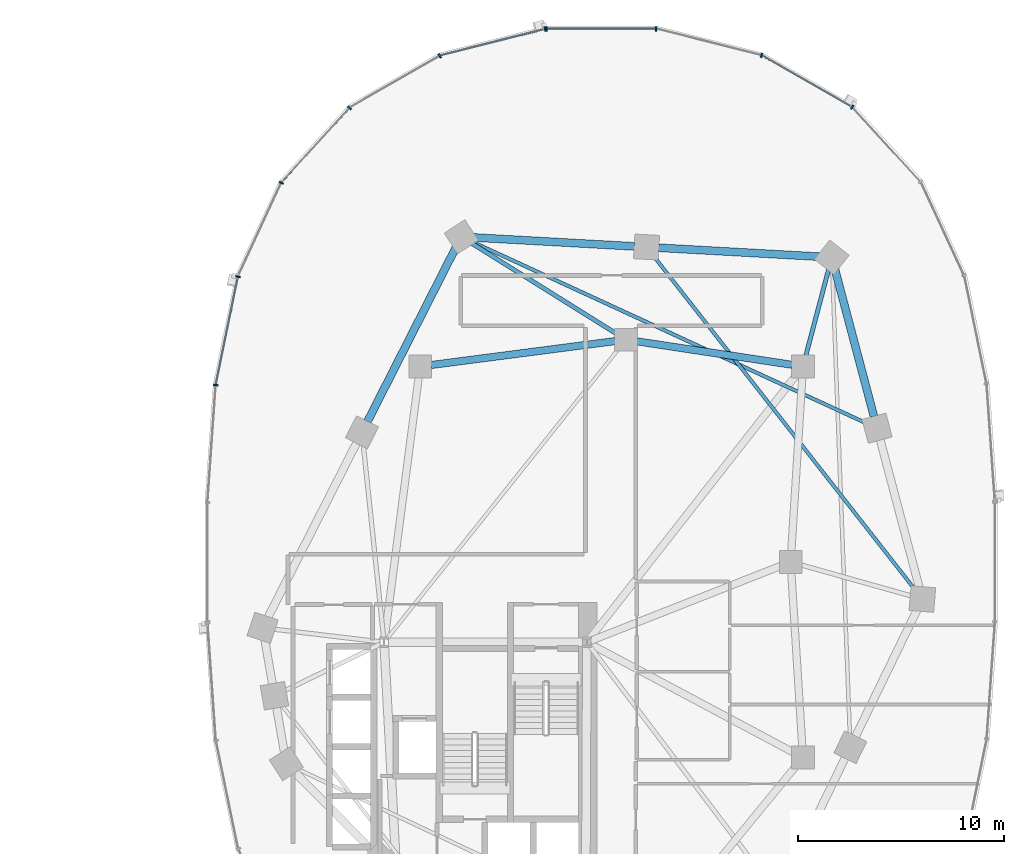
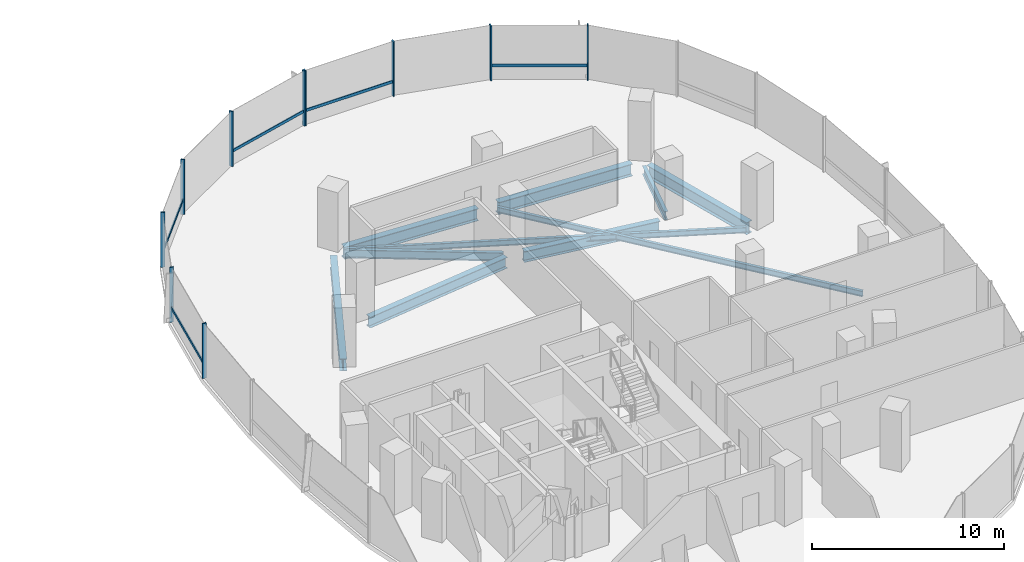
# One storey, part 7 of 21: 15 members, 10 beams, 2 elements without a shape of their own.
"""IFC4 building model written with IfcOpenShell, lengths in metres."""

import ifcopenshell
import ifcopenshell.guid

model = None  # the IFC model being written
_history = None  # IfcOwnerHistory: only IFC2X3 demands one
_inside = {}  # id of a spatial element -> (the spatial element, [elements in it])
_under = {}  # id of a project, library or spatial element -> (it, [spatial elements below it])
_declared = {}  # id of a project -> (the project, [libraries it declares])
_typed = {}  # id of a type object -> (the type object, [elements of that type])
_made_of = {}  # id of a material, layer set ... -> (it, [elements and type objects made of it])


def new_model(schema):
    """Start an empty IFC model of exactly this schema.

    Asked for "IFC4X3", IfcOpenShell would pick the latest addendum, in which some entities
    have other attributes; the version numbers below select the first issue.
    IFC2X3 requires an IfcOwnerHistory on every rooted entity: one is made here for all.
    """
    global model, _history
    if schema == "IFC4X3":
        model = ifcopenshell.file(schema_version=(4, 3, 0, 0))
    else:
        model = ifcopenshell.file(schema=schema)
    _inside.clear()
    _under.clear()
    _declared.clear()
    _typed.clear()
    _made_of.clear()
    _history = None
    if model.schema == "IFC2X3":
        org = make("IfcOrganization", Name="unknown")
        user = make(
            "IfcPersonAndOrganization",
            ThePerson=make("IfcPerson", FamilyName="unknown"),
            TheOrganization=org,
        )
        app = make(
            "IfcApplication",
            ApplicationDeveloper=org,
            Version="unknown",
            ApplicationFullName="unknown",
            ApplicationIdentifier="unknown",
        )
        _history = make(
            "IfcOwnerHistory",
            OwningUser=user,
            OwningApplication=app,
            ChangeAction="ADDED",
            CreationDate=0,
        )
    return model


def make(cls, **values):
    """One entity of the class cls with the attributes given. An attribute that is None is left unset."""
    return model.create_entity(
        cls, **{name: value for name, value in values.items() if value is not None}
    )


def rooted(cls, **values):
    """An entity with a GlobalId (a new one), such as an element, a storey or a relation."""
    return make(cls, GlobalId=ifcopenshell.guid.new(), OwnerHistory=_history, **values)


def si_unit(unit_type, name, prefix=None):
    """IfcSIUnit, for example si_unit("LENGTHUNIT", "METRE", prefix="MILLI")."""
    return make("IfcSIUnit", UnitType=unit_type, Prefix=prefix, Name=name)


def assignment(units):
    """IfcUnitAssignment: the units of a project."""
    return None if units is None else make("IfcUnitAssignment", Units=units)


def point(xyz):
    """IfcCartesianPoint."""
    return None if xyz is None else make("IfcCartesianPoint", Coordinates=xyz)


def direction(xyz):
    """IfcDirection."""
    return None if xyz is None else make("IfcDirection", DirectionRatios=xyz)


def frame(location, z_axis=None, x_axis=None):
    """IfcAxis2Placement3D, a coordinate frame: its origin and axes. An axis left out is left unset."""
    return make(
        "IfcAxis2Placement3D",
        Location=point(location),
        Axis=direction(z_axis),
        RefDirection=direction(x_axis),
    )


def frame_2d(location, x_axis=None):
    """IfcAxis2Placement2D, a coordinate frame in the plane: its origin and x axis."""
    return make(
        "IfcAxis2Placement2D", Location=point(location), RefDirection=direction(x_axis)
    )


def origin():
    """The frame at (0, 0, 0) with its axes left unset."""
    return frame((0.0, 0.0, 0.0))


def origin_2d():
    """The frame at (0, 0) in the plane with its x axis left unset."""
    return frame_2d((0.0, 0.0))


def place(relative_to, where):
    """IfcLocalPlacement: puts the frame where relative to a parent placement (None: the world)."""
    return make(
        "IfcLocalPlacement", PlacementRelTo=relative_to, RelativePlacement=where
    )


def context(
    kind, dimensions, precision=None, world=None, true_north=None, identifier=None
):
    """IfcGeometricRepresentationContext, for example the 3D "Model" context."""
    return make(
        "IfcGeometricRepresentationContext",
        ContextIdentifier=identifier,
        ContextType=kind,
        CoordinateSpaceDimension=dimensions,
        Precision=precision,
        WorldCoordinateSystem=world,
        TrueNorth=true_north,
    )


def subcontext(parent, identifier, kind, view, scale=None):
    """IfcGeometricRepresentationSubContext, for example "Body" below "Model"."""
    return make(
        "IfcGeometricRepresentationSubContext",
        ContextIdentifier=identifier,
        ContextType=kind,
        ParentContext=parent,
        TargetScale=scale,
        TargetView=view,
    )


def project(units=None, contexts=None):
    """IfcProject with its units and contexts."""
    return rooted(
        "IfcProject",
        Name="project",
        RepresentationContexts=contexts,
        UnitsInContext=assignment(units),
    )


def spatial(cls, under=None, at=None, **own):
    """A site, building, storey or space (cls), placed at a placement, below another one or the project."""
    s = rooted(cls, ObjectPlacement=at, **own)
    if under is not None:
        _under.setdefault(under.id(), (under, []))[1].append(s)
    return s


def profile(cls, at=None, kind="AREA", **sizes):
    """A parametric profile (cls). Its sizes go by their IFC names, for example OverallWidth=200.0."""
    return make(cls, ProfileType=kind, Position=at, **sizes)


def rectangle(**sizes):
    """IfcRectangleProfileDef."""
    return profile("IfcRectangleProfileDef", **sizes)


def i_section(**sizes):
    """IfcIShapeProfileDef."""
    return profile("IfcIShapeProfileDef", **sizes)


def extrude(swept, where, along, depth):
    """IfcExtrudedAreaSolid: the profile swept, set in the frame where, extruded along a direction by depth."""
    return make(
        "IfcExtrudedAreaSolid",
        SweptArea=swept,
        Position=where,
        ExtrudedDirection=direction(along),
        Depth=depth,
    )


def shape(context_of_items, identifier, shape_type, items):
    """IfcShapeRepresentation: the items that make up one representation, for example the "Body"."""
    return make(
        "IfcShapeRepresentation",
        ContextOfItems=context_of_items,
        RepresentationIdentifier=identifier,
        RepresentationType=shape_type,
        Items=items,
    )


def material(Name=None, Category=None):
    """IfcMaterial."""
    return make("IfcMaterial", Name=Name, Category=Category)


def material_profile(
    of_material, cross_section, Name=None, Category=None, Priority=None
):
    """IfcMaterialProfile: a cross section and its material."""
    return make(
        "IfcMaterialProfile",
        Name=Name,
        Material=of_material,
        Profile=cross_section,
        Priority=Priority,
        Category=Category,
    )


def profile_set(profiles, Name=None, composite=None):
    """IfcMaterialProfileSet."""
    return make(
        "IfcMaterialProfileSet",
        Name=Name,
        MaterialProfiles=profiles,
        CompositeProfile=composite,
    )


def made_of(thing, what):
    """Note that an element or type object is made of a material, layer set ...; save() writes the relation."""
    if what is not None:
        _made_of.setdefault(what.id(), (what, []))[1].append(thing)
    return thing


def type_object(cls, material=None, **own):
    """A type object (cls), such as IfcWallType, which elements share."""
    return made_of(rooted(cls, **own), material)


def element(
    cls,
    number,
    at=None,
    inside=None,
    cuts=None,
    type_object=None,
    material=None,
    context=None,
    identifier="Body",
    shape_type=None,
    held_by="IfcProductDefinitionShape",
    body=None,
    shapes=None,
    **own,
):
    """One element of the class cls, such as IfcWall. Its Tag is "e" and its number.

    at: its placement. inside: the storey or other place that contains it. cuts: it is an
    opening in that element (IfcRelVoidsElement). A single representation is given by context,
    identifier, shape_type and body (its items); several are given by shapes. held_by: the class
    of the entity that holds the representations. save() writes the other relations.
    """
    e = rooted(cls, Tag="e%d" % number, ObjectPlacement=at, **own)
    if body is not None:
        shapes = [shape(context, identifier, shape_type, body)]
    if shapes is not None:
        e.Representation = make(held_by, Representations=shapes)
    if inside is not None:
        _inside.setdefault(inside.id(), (inside, []))[1].append(e)
    if cuts is not None:
        rooted(
            "IfcRelVoidsElement", RelatingBuildingElement=cuts, RelatedOpeningElement=e
        )
    if type_object is not None:
        _typed.setdefault(type_object.id(), (type_object, []))[1].append(e)
    return made_of(e, material)


def aggregate(whole, parts):
    """IfcRelAggregates: a whole, such as a stair, and the parts it consists of."""
    return rooted("IfcRelAggregates", RelatingObject=whole, RelatedObjects=parts)


def save(model, path):
    """Write the relations noted so far, then the file.

    IfcRelAggregates (storeys below a building ...), IfcRelContainedInSpatialStructure (elements
    in a storey), IfcRelDefinesByType, IfcRelAssociatesMaterial and IfcRelDeclares: one each for
    every whole, place, type object, material and project.
    """
    for whole, parts in _under.values():
        aggregate(whole, parts)
    for where, things in _inside.values():
        rooted(
            "IfcRelContainedInSpatialStructure",
            RelatedElements=things,
            RelatingStructure=where,
        )
    for kind, things in _typed.values():
        rooted("IfcRelDefinesByType", RelatedObjects=things, RelatingType=kind)
    for what, things in _made_of.values():
        rooted("IfcRelAssociatesMaterial", RelatedObjects=things, RelatingMaterial=what)
    for by, libraries in _declared.values():
        rooted("IfcRelDeclares", RelatingContext=by, RelatedDefinitions=libraries)
    model.write(path)


model = new_model("IFC4")

# Units and contexts
model_context = context("Model", 3, precision=1e-05, world=origin(), true_north=direction((0.0, 1.0)))
body_context = subcontext(model_context, "Body", "Model", "MODEL_VIEW")
ifc_project = project(units=[si_unit("LENGTHUNIT", "METRE"), si_unit("AREAUNIT", "SQUARE_METRE"), si_unit("VOLUMEUNIT", "CUBIC_METRE"), si_unit("PLANEANGLEUNIT", "RADIAN"), si_unit("MASSUNIT", "GRAM", prefix="KILO"), si_unit("THERMODYNAMICTEMPERATUREUNIT", "KELVIN"), si_unit("POWERUNIT", "WATT")], contexts=[model_context])

# Site, building, storey
site_placement = place(None, origin())
site = spatial("IfcSite", under=ifc_project, at=site_placement, CompositionType="ELEMENT")
building_placement = place(site_placement, origin())
building = spatial("IfcBuilding", under=site, at=building_placement, Name="Cundina Bronze Exchange", CompositionType="ELEMENT")
storey_placement = place(building_placement, frame((0.0, 0.0, 31.60009765625)))
storey = spatial("IfcBuildingStorey", under=building, at=storey_placement, Name="L07", CompositionType="ELEMENT", Elevation=31.60009765625)

# Beams
ifc_material_1 = material(Name="Steel ASTM A992 Grade 50", Category="steel")
ifc_material_profile_1 = material_profile(ifc_material_1, i_section(OverallWidth=0.2099609375, OverallDepth=0.532958984375, WebThickness=0.01025390625, FlangeThickness=0.015625, FilletRadius=0.013916015625, at=origin_2d()), Name="W21X62", Category="steel")
ifc_profile_set_1 = profile_set([ifc_material_profile_1], Name="Steel ASTM A992 Grade 50")
beam_type_1 = type_object("IfcBeamType", Name="BM-FLR-W21B", PredefinedType="BEAM", material=ifc_profile_set_1)
beam_1_placement = place(storey_placement, frame((41.9375, 10.020263671875, -0.566650390625), z_axis=(0.255373327887, 0.966842522546, 0.0), x_axis=(-0.966842522546, 0.255373327887, 0.0)))
element("IfcBeam", 1, at=beam_1_placement, inside=storey, type_object=beam_type_1, Name="L07 Leg E Chordal Floor Beam 10", PredefinedType="BEAM", context=body_context, shape_type="SweptSolid", body=[
    extrude(i_section(OverallWidth=0.2099609375, OverallDepth=0.532958984375, WebThickness=0.01025390625, FlangeThickness=0.015625, FilletRadius=0.013916015625, at=origin_2d()), origin(), (0.0, 0.0, 1.0), 4.355712890625),
])
beam_2_placement = place(storey_placement, frame((32.743896484375, 11.085205078125, -0.566650390625), z_axis=(-0.848014812458, 0.529972525563, 0.0), x_axis=(-0.529972525563, -0.848014812458, 0.0)))
element("IfcBeam", 2, at=beam_2_placement, inside=storey, type_object=beam_type_1, Name="L07 Leg E Chordal Floor Beam 12", PredefinedType="BEAM", context=body_context, shape_type="SweptSolid", body=[
    extrude(i_section(OverallWidth=0.2099609375, OverallDepth=0.532958984375, WebThickness=0.01025390625, FlangeThickness=0.015625, FilletRadius=0.013916015625, at=origin_2d()), origin(), (0.0, 0.0, 1.0), 8.30810546875),
])
ifc_material_profile_2 = material_profile(ifc_material_1, i_section(OverallWidth=0.172119140625, OverallDepth=0.35791015625, WebThickness=0.0078125, FlangeThickness=0.01318359375, FilletRadius=0.010009765625, at=origin_2d()), Name="W14X38", Category="steel")
ifc_profile_set_2 = profile_set([ifc_material_profile_2], Name="Steel ASTM A992 Grade 50")
beam_type_2 = type_object("IfcBeamType", Name="BM-JST-W14", PredefinedType="JOIST", material=ifc_profile_set_2)
beam_3_placement = place(storey_placement, frame((47.2373046875, -1.337158203125, -0.47900390625), z_axis=(-0.616803089524, 0.787117493614, 0.0), x_axis=(-0.787117493614, -0.616803089524, 0.0)))
element("IfcBeam", 3, at=beam_3_placement, inside=storey, type_object=beam_type_2, Name="L07 Leg E Lobe Floor Joist 08-11", PredefinedType="JOIST", context=body_context, shape_type="SweptSolid", body=[
    extrude(i_section(OverallWidth=0.172119140625, OverallDepth=0.35791015625, WebThickness=0.0078125, FlangeThickness=0.01318359375, FilletRadius=0.010009765625, at=origin_2d()), origin(), (0.0, 0.0, 1.0), 20.548828125),
])
beam_4_placement = place(storey_placement, frame((44.865966796875, 6.745849609375, -0.47900390625), z_axis=(-0.908351511887, 0.418207521277, 0.0), x_axis=(-0.418207521277, -0.908351511887, 0.0)))
element("IfcBeam", 4, at=beam_4_placement, inside=storey, type_object=beam_type_2, Name="L07 Leg E Lobe Floor Joist 09-12", PredefinedType="JOIST", context=body_context, shape_type="SweptSolid", body=[
    extrude(i_section(OverallWidth=0.172119140625, OverallDepth=0.35791015625, WebThickness=0.0078125, FlangeThickness=0.01318359375, FilletRadius=0.010009765625, at=origin_2d()), origin(), (0.0, 0.0, 1.0), 21.062255859375),
])
ifc_material_profile_3 = material_profile(ifc_material_1, i_section(OverallWidth=0.35498046875, OverallDepth=0.695068359375, WebThickness=0.015380859375, FlangeThickness=0.02490234375, FilletRadius=0.01806640625, at=origin_2d()), Name="W27X146", Category="steel")
ifc_profile_set_3 = profile_set([ifc_material_profile_3], Name="Steel ASTM A992 Grade 50")
beam_type_3 = type_object("IfcBeamType", Name="BM-RING-W27", PredefinedType="USERDEFINED", material=ifc_profile_set_3)
beam_5_placement = place(storey_placement, frame((41.26806640625, 9.580322265625, -0.647705078125), z_axis=(-0.988767489563, 0.149461873341, 0.0), x_axis=(-0.149461873341, -0.988767489563, 0.0)))
element("IfcBeam", 5, at=beam_5_placement, inside=storey, type_object=beam_type_3, Name="L07 E Inner Structural Ring Girder 05", ObjectType="GIRDER", PredefinedType="USERDEFINED", context=body_context, shape_type="SweptSolid", body=[
    extrude(i_section(OverallWidth=0.35498046875, OverallDepth=0.695068359375, WebThickness=0.015380859375, FlangeThickness=0.02490234375, FilletRadius=0.01806640625, at=origin_2d()), origin(), (0.0, 0.0, 1.0), 7.621826171875),
])
beam_6_placement = place(storey_placement, frame((32.66650390625, 10.730712890625, -0.647705078125), z_axis=(-0.991654577907, -0.128923225666, 0.0), x_axis=(0.128923225666, -0.991654577907, 0.0)))
element("IfcBeam", 6, at=beam_6_placement, inside=storey, type_object=beam_type_3, Name="L07 E Inner Structural Ring Girder 06", ObjectType="GIRDER", PredefinedType="USERDEFINED", context=body_context, shape_type="SweptSolid", body=[
    extrude(i_section(OverallWidth=0.35498046875, OverallDepth=0.695068359375, WebThickness=0.015380859375, FlangeThickness=0.02490234375, FilletRadius=0.01806640625, at=origin_2d()), origin(), (0.0, 0.0, 1.0), 9.00830078125),
])
ifc_material_profile_4 = material_profile(ifc_material_1, i_section(OverallWidth=0.381103515625, OverallDepth=0.77294921875, WebThickness=0.0166015625, FlangeThickness=0.027099609375, FilletRadius=0.01904296875, at=origin_2d()), Name="W30X173", Category="steel")
ifc_profile_set_4 = profile_set([ifc_material_profile_4], Name="Steel ASTM A992 Grade 50")
beam_type_4 = type_object("IfcBeamType", Name="BM-RING-W30", PredefinedType="USERDEFINED", material=ifc_profile_set_4)
beam_7_placement = place(storey_placement, frame((45.249267578125, 7.068359375, -0.6865234375), z_axis=(-0.256208567826, 0.966621523541, 0.0), x_axis=(-0.966621523541, -0.256208567826, 0.0)))
element("IfcBeam", 7, at=beam_7_placement, inside=storey, type_object=beam_type_4, Name="L07 E Perimeter Ring Girder 09", ObjectType="GIRDER", PredefinedType="USERDEFINED", context=body_context, shape_type="SweptSolid", body=[
    extrude(i_section(OverallWidth=0.381103515625, OverallDepth=0.77294921875, WebThickness=0.0166015625, FlangeThickness=0.027099609375, FilletRadius=0.01904296875, at=origin_2d()), origin(), (0.0, 0.0, 1.0), 7.41064453125),
])
for number, where, z_axis, x_axis, name in (
    (8, (42.61279296875, 14.83251953125, -0.6865234375), (-0.998459969805, 0.055476920391, 0.0), (-0.055476920391, -0.998459969805, 0.0), "L07 E Perimeter Ring Girder 10"),
    (9, (33.61279296875, 15.33251953125, -0.6865234375), (-0.998459969805, 0.055476920391, 0.0), (-0.055476920391, -0.998459969805, 0.0), "L07 E Perimeter Ring Girder 11"),
):
    element("IfcBeam", number, at=place(storey_placement, frame(where, z_axis=z_axis, x_axis=x_axis)), inside=storey, type_object=beam_type_4, Name=name, ObjectType="GIRDER", PredefinedType="USERDEFINED", context=body_context, shape_type="SweptSolid", body=[
        extrude(i_section(OverallWidth=0.381103515625, OverallDepth=0.77294921875, WebThickness=0.0166015625, FlangeThickness=0.027099609375, FilletRadius=0.01904296875, at=origin_2d()), origin(), (0.0, 0.0, 1.0), 7.837646484375),
    ])
beam_8_placement = place(storey_placement, frame((24.93359375, 15.275634765625, -0.6865234375), z_axis=(-0.452819633606, -0.891602141889, 0.0), x_axis=(0.891602141889, -0.452819633606, 0.0)))
element("IfcBeam", 10, at=beam_8_placement, inside=storey, type_object=beam_type_4, Name="L07 E Perimeter Ring Girder 12", ObjectType="GIRDER", PredefinedType="USERDEFINED", context=body_context, shape_type="SweptSolid", body=[
    extrude(i_section(OverallWidth=0.381103515625, OverallDepth=0.77294921875, WebThickness=0.0166015625, FlangeThickness=0.027099609375, FilletRadius=0.01904296875, at=origin_2d()), origin(), (0.0, 0.0, 1.0), 9.47900390625),
])

# Curtain wall, members
ifc_material_2 = material(Name="Anodised Bronze Aluminium 6063-T6", Category="aluminium")
curtain_wall_type = type_object("IfcCurtainWallType", Name="CWS-TRD-LOW", PredefinedType="NOTDEFINED", material=ifc_material_2)
curtain_wall_1_placement = place(storey_placement, origin())
curtain_wall_1 = element("IfcCurtainWall", 11, at=curtain_wall_1_placement, inside=storey, type_object=curtain_wall_type, Name="L07 CW-02 Curtain Wall Run CWR-L07-E1", PredefinedType="NOTDEFINED")
ifc_material_profile_5 = material_profile(ifc_material_2, rectangle(XDim=0.074951171875, YDim=0.219970703125, at=origin_2d()), Name="AL75X220", Category="aluminium")
ifc_profile_set_5 = profile_set([ifc_material_profile_5], Name="Anodised Bronze Aluminium 6063-T6")
member_type_1 = type_object("IfcMemberType", Name="CWM-MUL-220", PredefinedType="MULLION", material=ifc_profile_set_5)
member_1_placement = place(storey_placement, frame((44.189697265625, 22.097412109375, 0.0), z_axis=(0.0, 0.0, 1.0), x_axis=(-0.867070701164, 0.498185105339, 0.0)))
member_1 = element("IfcMember", 12, at=member_1_placement, type_object=member_type_1, Name="CW-02 Mullion 5", PredefinedType="MULLION", context=body_context, shape_type="SweptSolid", body=[
    extrude(rectangle(XDim=0.074951171875, YDim=0.219970703125, at=origin_2d()), origin(), (0.0, 0.0, 1.0), 3.5),
])
member_2_placement = place(storey_placement, frame((39.78515625, 24.61669921875, 0.0), z_axis=(0.0, 0.0, 1.0), x_axis=(-0.969488149345, 0.245138182011, 0.0)))
member_2 = element("IfcMember", 13, at=member_2_placement, type_object=member_type_1, Name="CW-02 Mullion 6", PredefinedType="MULLION", context=body_context, shape_type="SweptSolid", body=[
    extrude(rectangle(XDim=0.074951171875, YDim=0.219970703125, at=origin_2d()), origin(), (0.0, 0.0, 1.0), 3.5),
])
member_3_placement = place(storey_placement, frame((34.654541015625, 25.905029296875, 0.0), z_axis=(0.0, 0.0, 1.0), x_axis=(-1.0, 0.0, 0.0)))
member_3 = element("IfcMember", 14, at=member_3_placement, type_object=member_type_1, Name="CW-02 Mullion 7", PredefinedType="MULLION", context=body_context, shape_type="SweptSolid", body=[
    extrude(rectangle(XDim=0.074951171875, YDim=0.219970703125, at=origin_2d()), origin(), (0.0, 0.0, 1.0), 3.5),
])
member_4_placement = place(storey_placement, frame((29.345458984375, 25.905029296875, 0.0), z_axis=(0.0, 0.0, 1.0), x_axis=(-1.0, 0.0, 0.0)))
member_4 = element("IfcMember", 15, at=member_4_placement, type_object=member_type_1, Name="CW-02 End Mullion", PredefinedType="MULLION", context=body_context, shape_type="SweptSolid", body=[
    extrude(rectangle(XDim=0.074951171875, YDim=0.219970703125, at=origin_2d()), origin(), (0.0, 0.0, 1.0), 3.5),
])

curtain_wall_2_placement = place(storey_placement, origin())
curtain_wall_2 = element("IfcCurtainWall", 16, at=curtain_wall_2_placement, inside=storey, type_object=curtain_wall_type, Name="L07 CW-02 Curtain Wall Run CWR-L07-E2", PredefinedType="NOTDEFINED")
member_5_placement = place(storey_placement, frame((29.27392578125, 25.89599609375, 0.0), z_axis=(0.0, 0.0, 1.0), x_axis=(-0.969488149345, -0.245138182011, 0.0)))
member_5 = element("IfcMember", 17, at=member_5_placement, type_object=member_type_1, Name="CW-02 Mullion 1", PredefinedType="MULLION", context=body_context, shape_type="SweptSolid", body=[
    extrude(rectangle(XDim=0.074951171875, YDim=0.219970703125, at=origin_2d()), origin(), (0.0, 0.0, 1.0), 3.5),
])
member_6_placement = place(storey_placement, frame((24.151123046875, 24.591064453125, 0.0), z_axis=(0.0, 0.0, 1.0), x_axis=(-0.867070701164, -0.498185105339, 0.0)))
member_6 = element("IfcMember", 18, at=member_6_placement, type_object=member_type_1, Name="CW-02 Mullion 2", PredefinedType="MULLION", context=body_context, shape_type="SweptSolid", body=[
    extrude(rectangle(XDim=0.074951171875, YDim=0.219970703125, at=origin_2d()), origin(), (0.0, 0.0, 1.0), 3.5),
])
member_7_placement = place(storey_placement, frame((19.760498046875, 22.0576171875, 0.0), z_axis=(0.0, 0.0, 1.0), x_axis=(-0.674302387584, -0.738455340626, 0.0)))
member_7 = element("IfcMember", 19, at=member_7_placement, type_object=member_type_1, Name="CW-02 Mullion 3", PredefinedType="MULLION", context=body_context, shape_type="SweptSolid", body=[
    extrude(rectangle(XDim=0.074951171875, YDim=0.219970703125, at=origin_2d()), origin(), (0.0, 0.0, 1.0), 3.5),
])
member_8_placement = place(storey_placement, frame((16.455810546875, 18.423583984375, 0.0), z_axis=(0.0, 0.0, 1.0), x_axis=(-0.42087749791, -0.907117485088, 0.0)))
member_8 = element("IfcMember", 20, at=member_8_placement, type_object=member_type_1, Name="CW-02 Mullion 4", PredefinedType="MULLION", context=body_context, shape_type="SweptSolid", body=[
    extrude(rectangle(XDim=0.074951171875, YDim=0.219970703125, at=origin_2d()), origin(), (0.0, 0.0, 1.0), 3.5),
])
member_9_placement = place(storey_placement, frame((14.348876953125, 13.861328125, 0.0), z_axis=(0.0, 0.0, 1.0), x_axis=(-0.201419845156, -0.979505000486, 0.0)))
member_9 = element("IfcMember", 21, at=member_9_placement, type_object=member_type_1, Name="CW-02 Mullion 5", PredefinedType="MULLION", context=body_context, shape_type="SweptSolid", body=[
    extrude(rectangle(XDim=0.074951171875, YDim=0.219970703125, at=origin_2d()), origin(), (0.0, 0.0, 1.0), 3.5),
])
member_10_placement = place(storey_placement, frame((13.27099609375, 8.591552734375, 0.0), z_axis=(0.0, 0.0, 1.0), x_axis=(-0.070278787473, -0.997527389113, 0.0)))
member_10 = element("IfcMember", 22, at=member_10_placement, type_object=member_type_1, Name="CW-02 Mullion 6", PredefinedType="MULLION", context=body_context, shape_type="SweptSolid", body=[
    extrude(rectangle(XDim=0.074951171875, YDim=0.219970703125, at=origin_2d()), origin(), (0.0, 0.0, 1.0), 3.5),
])

# Member
ifc_material_profile_6 = material_profile(ifc_material_2, rectangle(XDim=0.070068359375, YDim=0.179931640625, at=origin_2d()), Name="AL70X180", Category="aluminium")
ifc_profile_set_6 = profile_set([ifc_material_profile_6], Name="Anodised Bronze Aluminium 6063-T6")
member_type_2 = type_object("IfcMemberType", Name="CWM-TRN-180", PredefinedType="USERDEFINED", material=ifc_profile_set_6)
member_11_placement = place(storey_placement, frame((44.154052734375, 22.117919921875, 0.919921875), z_axis=(-0.867097475651, 0.498138502546, 0.0), x_axis=(-0.498138502546, -0.867097475651, 0.0)))
member_11 = element("IfcMember", 23, at=member_11_placement, type_object=member_type_2, Name="CW-02 Spandrel Transom 5", ObjectType="TRANSOM", PredefinedType="USERDEFINED", context=body_context, shape_type="SweptSolid", body=[
    extrude(rectangle(XDim=0.070068359375, YDim=0.179931640625, at=origin_2d()), origin(), (0.0, 0.0, 1.0), 5.00634765625),
])

member_12_placement = place(storey_placement, frame((34.61328125, 25.905029296875, 0.919921875), z_axis=(-1.0, 0.0, 0.0), x_axis=(0.0, -1.0, 0.0)))
member_12 = element("IfcMember", 24, at=member_12_placement, type_object=member_type_2, Name="CW-02 Spandrel Transom 7", ObjectType="TRANSOM", PredefinedType="USERDEFINED", context=body_context, shape_type="SweptSolid", body=[
    extrude(rectangle(XDim=0.070068359375, YDim=0.179931640625, at=origin_2d()), origin(), (0.0, 0.0, 1.0), 5.2265625),
])

aggregate(curtain_wall_1, [member_1, member_11, member_2, member_3, member_4, member_12])

member_13_placement = place(storey_placement, frame((29.23388671875, 25.885986328125, 0.919921875), z_axis=(-0.969483968866, -0.245154714644, 0.0), x_axis=(0.245154714644, -0.969483968866, 0.0)))
member_13 = element("IfcMember", 25, at=member_13_placement, type_object=member_type_2, Name="CW-02 Spandrel Transom 1", ObjectType="TRANSOM", PredefinedType="USERDEFINED", context=body_context, shape_type="SweptSolid", body=[
    extrude(rectangle(XDim=0.070068359375, YDim=0.179931640625, at=origin_2d()), origin(), (0.0, 0.0, 1.0), 5.21826171875),
])

member_14_placement = place(storey_placement, frame((19.73291015625, 22.027099609375, 0.919921875), z_axis=(-0.674302794847, -0.738454968743, 0.0), x_axis=(0.738454968743, -0.674302794847, 0.0)))
member_14 = element("IfcMember", 26, at=member_14_placement, type_object=member_type_2, Name="CW-02 Spandrel Transom 3", ObjectType="TRANSOM", PredefinedType="USERDEFINED", context=body_context, shape_type="SweptSolid", body=[
    extrude(rectangle(XDim=0.070068359375, YDim=0.179931640625, at=origin_2d()), origin(), (0.0, 0.0, 1.0), 4.848388671875),
])

member_15_placement = place(storey_placement, frame((14.340576171875, 13.821044921875, 0.919921875), z_axis=(-0.201427712708, -0.979503382615, 0.0), x_axis=(0.979503382615, -0.201427712708, 0.0)))
member_15 = element("IfcMember", 27, at=member_15_placement, type_object=member_type_2, Name="CW-02 Spandrel Transom 5", ObjectType="TRANSOM", PredefinedType="USERDEFINED", context=body_context, shape_type="SweptSolid", body=[
    extrude(rectangle(XDim=0.070068359375, YDim=0.179931640625, at=origin_2d()), origin(), (0.0, 0.0, 1.0), 5.291748046875),
])

aggregate(curtain_wall_2, [member_5, member_13, member_6, member_7, member_14, member_8, member_9, member_15, member_10])

save(model, "model.ifc")
